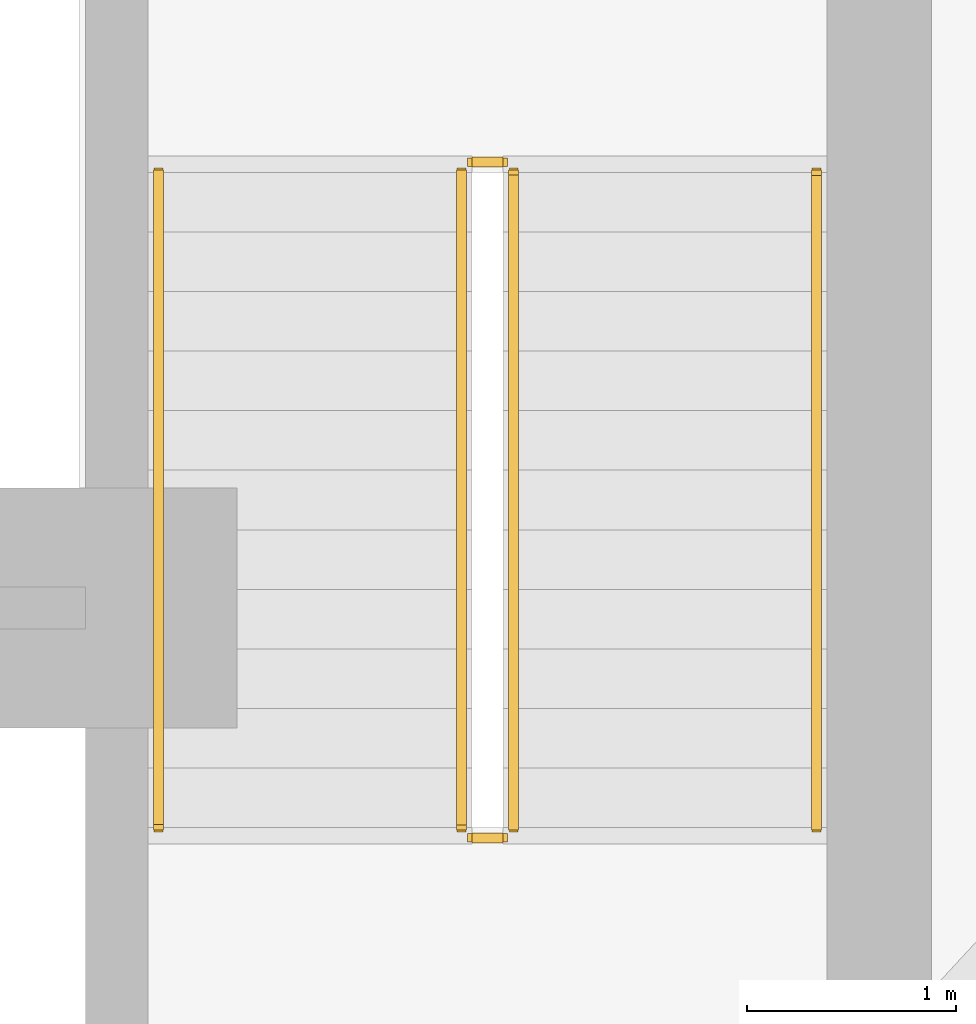
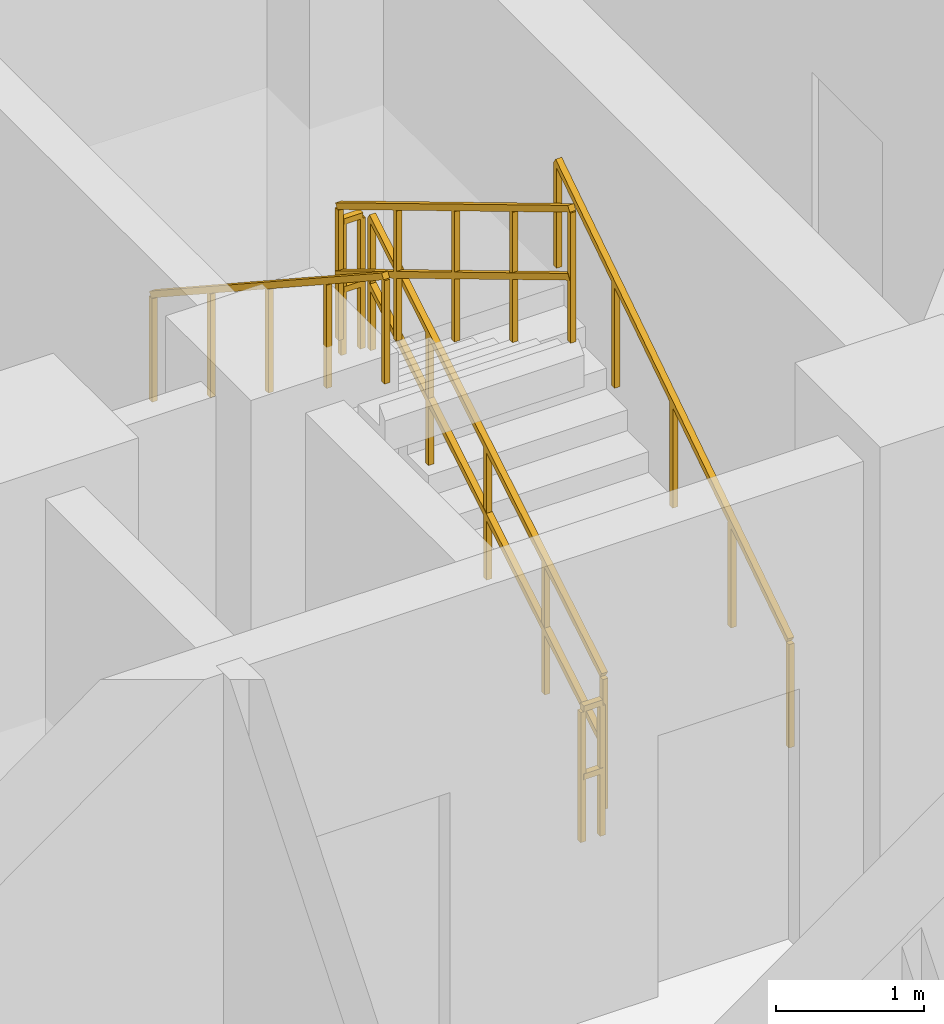
# One storey, part 10 of 11: 6 railings.
"""IFC4 building model written with IfcOpenShell, lengths in metres."""

from ifc_helpers import new_model, si_unit, direction, frame, origin, origin_2d, place, context, subcontext, project, spatial, rectangle, extrude, material, type_object, element, save


model = new_model("IFC4")

# Units and contexts
model_context = context("Model", 3, precision=1e-05, world=origin(), true_north=direction((0.0, 1.0)))
body_context = subcontext(model_context, "Body", "Model", "MODEL_VIEW")
ifc_project = project(units=[si_unit("LENGTHUNIT", "METRE"), si_unit("AREAUNIT", "SQUARE_METRE"), si_unit("VOLUMEUNIT", "CUBIC_METRE"), si_unit("PLANEANGLEUNIT", "RADIAN"), si_unit("MASSUNIT", "GRAM", prefix="KILO")], contexts=[model_context])

# Site, building, storey
site_placement = place(None, origin())
site = spatial("IfcSite", under=ifc_project, at=site_placement, CompositionType="ELEMENT")
building_placement = place(site_placement, origin())
building = spatial("IfcBuilding", under=site, at=building_placement, Name="Apsidion Concourse Tower", CompositionType="ELEMENT")
storey_placement = place(building_placement, frame((0.0, 0.0, 252.699951171875)))
storey = spatial("IfcBuildingStorey", under=building, at=storey_placement, Name="L59", CompositionType="ELEMENT", Elevation=252.699951171875)

# Railings
ifc_material = material(Name="Brushed stainless steel 316", Category="steel")
railing_type_1 = type_object("IfcRailingType", Name="RL-GUARD-1100", PredefinedType="GUARDRAIL", material=ifc_material)
railing_1_placement = place(storey_placement, frame((5.699951171875, 3.0, 0.1708984375)))
element("IfcRailing", 1, at=railing_1_placement, inside=storey, type_object=railing_type_1, Name="L59 ST2 stair guard 1", PredefinedType="GUARDRAIL", context=body_context, shape_type="SweptSolid", body=[
    extrude(rectangle(XDim=0.048095703125, YDim=0.048095703125, at=origin_2d()), frame((0.0, 0.0, 1.09619140625), z_axis=(0.0, 0.857716804754, 0.514122439544), x_axis=(-1.0, 0.0, 0.0)), (0.0, 0.0, 1.0), 3.655029296875),
    extrude(rectangle(XDim=0.048095703125, YDim=0.048095703125, at=origin_2d()), frame((0.0, 0.0, 0.5361328125), z_axis=(0.0, 0.857716804754, 0.514122439544), x_axis=(-1.0, 0.0, 0.0)), (0.0, 0.0, 1.0), 3.655029296875),
    extrude(rectangle(XDim=0.0419921875, YDim=0.0419921875, at=origin_2d()), origin(), (0.0, 0.0, 1.0), 1.072021484375),
    extrude(rectangle(XDim=0.0419921875, YDim=0.0419921875, at=origin_2d()), frame((0.0, 0.78369140625, 0.4697265625)), (0.0, 0.0, 1.0), 1.072021484375),
    extrude(rectangle(XDim=0.0419921875, YDim=0.0419921875, at=origin_2d()), frame((0.0, 1.5673828125, 0.939453125)), (0.0, 0.0, 1.0), 1.072021484375),
    extrude(rectangle(XDim=0.0419921875, YDim=0.0419921875, at=origin_2d()), frame((0.0, 2.351318359375, 1.409423828125)), (0.0, 0.0, 1.0), 1.072021484375),
    extrude(rectangle(XDim=0.0419921875, YDim=0.0419921875, at=origin_2d()), frame((0.0, 3.135009765625, 1.879150390625)), (0.0, 0.0, 1.0), 1.072021484375),
])
railing_2_placement = place(storey_placement, frame((5.64990234375, 6.18505859375, 2.050048828125)))
element("IfcRailing", 2, at=railing_2_placement, inside=storey, type_object=railing_type_1, Name="L59 ST2 stair guard 2", PredefinedType="GUARDRAIL", context=body_context, shape_type="SweptSolid", body=[
    extrude(rectangle(XDim=0.048095703125, YDim=0.048095703125, at=origin_2d()), frame((0.0, 0.0, 1.09619140625), z_axis=(-1.0, 0.0, 0.0), x_axis=(0.0, -1.0, 0.0)), (0.0, 0.0, 1.0), 0.14990234375),
    extrude(rectangle(XDim=0.048095703125, YDim=0.048095703125, at=origin_2d()), frame((0.0, 0.0, 0.5361328125), z_axis=(-1.0, 0.0, 0.0), x_axis=(0.0, -1.0, 0.0)), (0.0, 0.0, 1.0), 0.14990234375),
    extrude(rectangle(XDim=0.0419921875, YDim=0.0419921875, at=origin_2d()), origin(), (0.0, 0.0, 1.0), 1.072021484375),
    extrude(rectangle(XDim=0.0419921875, YDim=0.0419921875, at=origin_2d()), frame((-0.14990234375, 0.0, 0.0)), (0.0, 0.0, 1.0), 1.072021484375),
])
railing_3_placement = place(storey_placement, frame((5.449951171875, 6.135009765625, 2.220947265625)))
element("IfcRailing", 3, at=railing_3_placement, inside=storey, type_object=railing_type_1, Name="L59 ST2 stair guard 3", PredefinedType="GUARDRAIL", context=body_context, shape_type="SweptSolid", body=[
    extrude(rectangle(XDim=0.048095703125, YDim=0.048095703125, at=origin_2d()), frame((0.0, 0.0, 1.09619140625), z_axis=(0.0, -0.857716804754, 0.514122439544), x_axis=(1.0, 0.0, 0.0)), (0.0, 0.0, 1.0), 3.655029296875),
    extrude(rectangle(XDim=0.048095703125, YDim=0.048095703125, at=origin_2d()), frame((0.0, 0.0, 0.5361328125), z_axis=(0.0, -0.857716804754, 0.514122439544), x_axis=(1.0, 0.0, 0.0)), (0.0, 0.0, 1.0), 3.655029296875),
    extrude(rectangle(XDim=0.0419921875, YDim=0.0419921875, at=origin_2d()), origin(), (0.0, 0.0, 1.0), 1.072021484375),
    extrude(rectangle(XDim=0.0419921875, YDim=0.0419921875, at=origin_2d()), frame((0.0, -0.78369140625, 0.4697265625)), (0.0, 0.0, 1.0), 1.072021484375),
    extrude(rectangle(XDim=0.0419921875, YDim=0.0419921875, at=origin_2d()), frame((0.0, -1.5673828125, 0.939453125)), (0.0, 0.0, 1.0), 1.072021484375),
    extrude(rectangle(XDim=0.0419921875, YDim=0.0419921875, at=origin_2d()), frame((0.0, -2.351318359375, 1.409423828125)), (0.0, 0.0, 1.0), 1.072021484375),
    extrude(rectangle(XDim=0.0419921875, YDim=0.0419921875, at=origin_2d()), frame((0.0, -3.135009765625, 1.879150390625)), (0.0, 0.0, 1.0), 1.072021484375),
])
railing_4_placement = place(storey_placement, frame((5.64990234375, 2.949951171875, 0.0)))
element("IfcRailing", 4, at=railing_4_placement, inside=storey, type_object=railing_type_1, Name="L59 ST2 stair guard 4", PredefinedType="GUARDRAIL", context=body_context, shape_type="SweptSolid", body=[
    extrude(rectangle(XDim=0.048095703125, YDim=0.048095703125, at=origin_2d()), frame((0.0, 0.0, 1.09619140625), z_axis=(-1.0, 0.0, 0.0), x_axis=(0.0, -1.0, 0.0)), (0.0, 0.0, 1.0), 0.14990234375),
    extrude(rectangle(XDim=0.048095703125, YDim=0.048095703125, at=origin_2d()), frame((0.0, 0.0, 0.5361328125), z_axis=(-1.0, 0.0, 0.0), x_axis=(0.0, -1.0, 0.0)), (0.0, 0.0, 1.0), 0.14990234375),
    extrude(rectangle(XDim=0.0419921875, YDim=0.0419921875, at=origin_2d()), origin(), (0.0, 0.0, 1.0), 1.072021484375),
    extrude(rectangle(XDim=0.0419921875, YDim=0.0419921875, at=origin_2d()), frame((-0.14990234375, 0.0, 0.0)), (0.0, 0.0, 1.0), 1.072021484375),
])
railing_type_2 = type_object("IfcRailingType", Name="RL-HAND-900", PredefinedType="HANDRAIL", material=ifc_material)
railing_5_placement = place(storey_placement, frame((7.14990234375, 3.0, 0.1708984375)))
element("IfcRailing", 5, at=railing_5_placement, inside=storey, type_object=railing_type_2, Name="L59 ST2 stair handrail 1", PredefinedType="HANDRAIL", context=body_context, shape_type="SweptSolid", body=[
    extrude(rectangle(XDim=0.048095703125, YDim=0.048095703125, at=origin_2d()), frame((0.0, 0.0, 0.8759765625), z_axis=(0.0, 0.836940907821, 0.547293263996), x_axis=(-1.0, 0.0, 0.0)), (0.0, 0.0, 1.0), 3.745849609375),
    extrude(rectangle(XDim=0.0419921875, YDim=0.0419921875, at=origin_2d()), origin(), (0.0, 0.0, 1.0), 0.851806640625),
    extrude(rectangle(XDim=0.0419921875, YDim=0.0419921875, at=origin_2d()), frame((0.0, 0.78369140625, 0.512451171875)), (0.0, 0.0, 1.0), 0.851806640625),
    extrude(rectangle(XDim=0.0419921875, YDim=0.0419921875, at=origin_2d()), frame((0.0, 1.5673828125, 1.02490234375)), (0.0, 0.0, 1.0), 0.851806640625),
    extrude(rectangle(XDim=0.0419921875, YDim=0.0419921875, at=origin_2d()), frame((0.0, 2.351318359375, 1.53759765625)), (0.0, 0.0, 1.0), 0.851806640625),
    extrude(rectangle(XDim=0.0419921875, YDim=0.0419921875, at=origin_2d()), frame((0.0, 3.135009765625, 2.050048828125)), (0.0, 0.0, 1.0), 0.851806640625),
])
railing_6_placement = place(storey_placement, frame((4.0, 6.135009765625, 2.220947265625)))
element("IfcRailing", 6, at=railing_6_placement, inside=storey, type_object=railing_type_2, Name="L59 ST2 stair handrail 2", PredefinedType="HANDRAIL", context=body_context, shape_type="SweptSolid", body=[
    extrude(rectangle(XDim=0.048095703125, YDim=0.048095703125, at=origin_2d()), frame((0.0, 0.0, 0.8759765625), z_axis=(0.0, -0.836940907821, 0.547293263996), x_axis=(1.0, 0.0, 0.0)), (0.0, 0.0, 1.0), 3.745849609375),
    extrude(rectangle(XDim=0.0419921875, YDim=0.0419921875, at=origin_2d()), origin(), (0.0, 0.0, 1.0), 0.851806640625),
    extrude(rectangle(XDim=0.0419921875, YDim=0.0419921875, at=origin_2d()), frame((0.0, -0.78369140625, 0.512451171875)), (0.0, 0.0, 1.0), 0.851806640625),
    extrude(rectangle(XDim=0.0419921875, YDim=0.0419921875, at=origin_2d()), frame((0.0, -1.5673828125, 1.02490234375)), (0.0, 0.0, 1.0), 0.851806640625),
    extrude(rectangle(XDim=0.0419921875, YDim=0.0419921875, at=origin_2d()), frame((0.0, -2.351318359375, 1.53759765625)), (0.0, 0.0, 1.0), 0.851806640625),
    extrude(rectangle(XDim=0.0419921875, YDim=0.0419921875, at=origin_2d()), frame((0.0, -3.135009765625, 2.050048828125)), (0.0, 0.0, 1.0), 0.851806640625),
])

save(model, "model.ifc")
